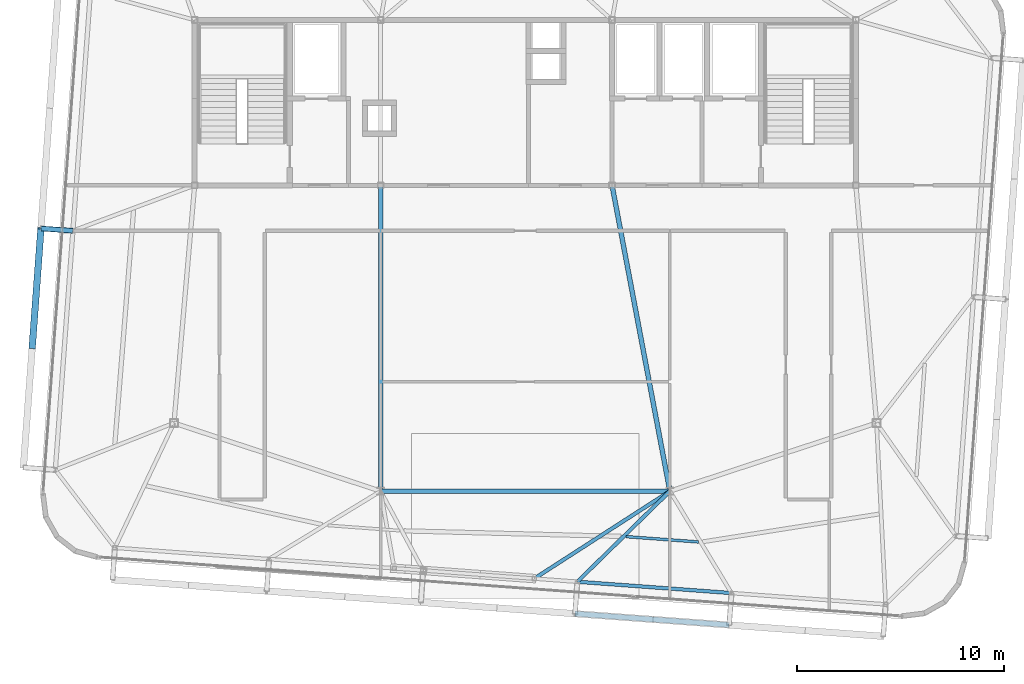
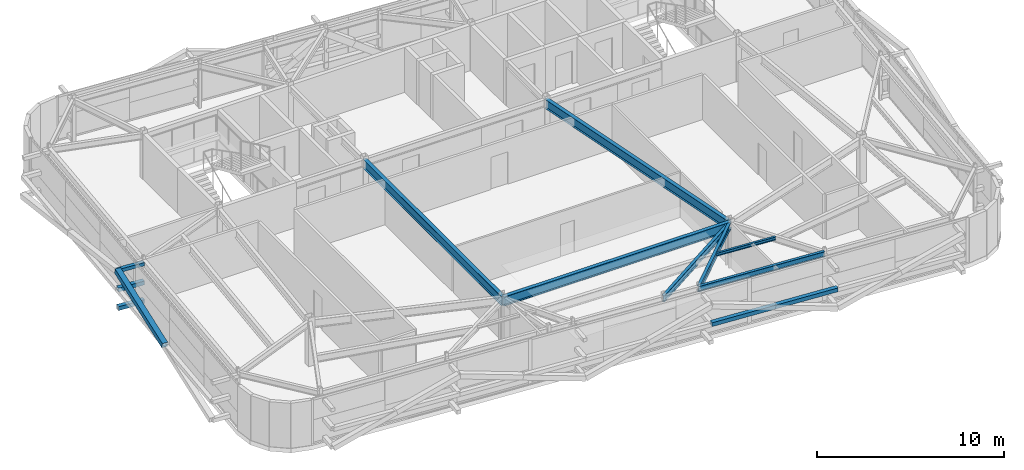
# One storey, part 12 of 35: 7 beams, 5 members.
"""IFC4 building model written with IfcOpenShell, lengths in metres."""

from ifc_helpers import new_model, si_unit, direction, frame, origin, origin_2d, place, context, subcontext, project, spatial, hollow_rectangle, i_section, extrude, source, transform, mapped, material, material_profile, profile_set, type_object, element, save


model = new_model("IFC4")

# Units and contexts
model_context = context("Model", 3, precision=1e-05, world=origin(), true_north=direction((0.0, 1.0)))
body_context = subcontext(model_context, "Body", "Model", "MODEL_VIEW")
ifc_project = project(units=[si_unit("LENGTHUNIT", "METRE"), si_unit("AREAUNIT", "SQUARE_METRE"), si_unit("VOLUMEUNIT", "CUBIC_METRE"), si_unit("PLANEANGLEUNIT", "RADIAN"), si_unit("MASSUNIT", "GRAM", prefix="KILO")], contexts=[model_context])

# Site, building, storey
site_placement = place(None, origin())
site = spatial("IfcSite", under=ifc_project, at=site_placement, CompositionType="ELEMENT")
building_placement = place(site_placement, origin())
building = spatial("IfcBuilding", under=site, at=building_placement, Name="Taldren Reach Tower", CompositionType="ELEMENT")
storey_placement = place(building_placement, frame((0.0, 0.0, 236.60009765625)))
storey = spatial("IfcBuildingStorey", under=building, at=storey_placement, Name="L72", CompositionType="ELEMENT", Elevation=236.60009765625)

# Beams
ifc_material_1 = material(Name="Steel Gr 350 (350PLUS)", Category="steel")
ifc_material_profile_1 = material_profile(ifc_material_1, i_section(OverallWidth=0.22802734375, OverallDepth=0.60205078125, WebThickness=0.010498046875, FlangeThickness=0.014892578125, at=origin_2d()), Name="610UB101")
ifc_profile_set_1 = profile_set([ifc_material_profile_1], Name="Steel Gr 350 (350PLUS)")
beam_type_1 = type_object("IfcBeamType", Name="BM-UB610B", PredefinedType="BEAM", material=ifc_profile_set_1)
shared_shape_1 = source(origin(), body_context, "Body", "SweptSolid", [
    extrude(i_section(OverallWidth=0.22802734375, OverallDepth=0.60205078125, WebThickness=0.010498046875, FlangeThickness=0.014892578125, at=origin_2d()), origin(), (0.0, 0.0, 1.0), 14.0),
])
beam_1_placement = place(storey_placement, frame((28.0, 9.199951171875, 2.62890625), z_axis=(1.0, 0.0, 0.0), x_axis=(0.0, 1.0, 0.0)))
element("IfcBeam", 1, at=beam_1_placement, inside=storey, type_object=beam_type_1, Name="Core-spine girder L72-SP11", PredefinedType="BEAM", context=body_context, shape_type="MappedRepresentation", body=[
    mapped(shared_shape_1, transform((0.0, 0.0, 0.0), scale=1.0)),
])
shared_shape_2 = source(origin(), body_context, "Body", "SweptSolid", [
    extrude(i_section(OverallWidth=0.22802734375, OverallDepth=0.60205078125, WebThickness=0.010498046875, FlangeThickness=0.014892578125, at=origin_2d()), origin(), (0.0, 0.0, 1.0), 14.800048828125),
])
beam_2_placement = place(storey_placement, frame((28.0, 24.0, 2.62890625), z_axis=(0.0, -1.0, 0.0), x_axis=(1.0, 0.0, 0.0)))
element("IfcBeam", 2, at=beam_2_placement, inside=storey, type_object=beam_type_1, Name="Core-spine girder L72-SP14", PredefinedType="BEAM", context=body_context, shape_type="MappedRepresentation", body=[
    mapped(shared_shape_2, transform((0.0, 0.0, 0.0), scale=1.0)),
])
shared_shape_3 = source(origin(), body_context, "Body", "SweptSolid", [
    extrude(i_section(OverallWidth=0.22802734375, OverallDepth=0.60205078125, WebThickness=0.010498046875, FlangeThickness=0.014892578125, at=origin_2d()), origin(), (0.0, 0.0, 1.0), 15.0625),
])
beam_3_placement = place(storey_placement, frame((39.199951171875, 24.0, 2.62890625), z_axis=(0.185894205668, -0.982569765614, 0.0), x_axis=(0.982569765614, 0.185894205668, 0.0)))
element("IfcBeam", 3, at=beam_3_placement, inside=storey, type_object=beam_type_1, Name="Core-spine girder L72-SP15", PredefinedType="BEAM", context=body_context, shape_type="MappedRepresentation", body=[
    mapped(shared_shape_3, transform((0.0, 0.0, 0.0), scale=1.0)),
])
ifc_material_profile_2 = material_profile(ifc_material_1, i_section(OverallWidth=0.172119140625, OverallDepth=0.35888671875, WebThickness=0.008056640625, FlangeThickness=0.012939453125, at=origin_2d()), Name="360UB56.7")
ifc_profile_set_2 = profile_set([ifc_material_profile_2], Name="Steel Gr 350 (350PLUS)")
beam_type_2 = type_object("IfcBeamType", Name="SP-UB360", PredefinedType="SPANDREL", material=ifc_profile_set_2)
shared_shape_4 = source(origin(), body_context, "Body", "SweptSolid", [
    extrude(i_section(OverallWidth=0.172119140625, OverallDepth=0.35888671875, WebThickness=0.008056640625, FlangeThickness=0.012939453125, at=origin_2d()), origin(), (0.0, 0.0, 1.0), 7.479736328125),
])
beam_4_placement = place(storey_placement, frame((37.5205078125, 4.81689453125, 2.75048828125), z_axis=(0.997314045547, -0.073244075215, 0.0), x_axis=(0.073244075215, 0.997314045547, 0.0)))
element("IfcBeam", 4, at=beam_4_placement, inside=storey, type_object=beam_type_2, Name="Perimeter spandrel B5 S4-S5 L72", PredefinedType="SPANDREL", context=body_context, shape_type="MappedRepresentation", body=[
    mapped(shared_shape_4, transform((0.0, 0.0, 0.0), scale=1.0)),
])
ifc_material_profile_3 = material_profile(ifc_material_1, i_section(OverallWidth=0.177978515625, OverallDepth=0.406005859375, WebThickness=0.0078125, FlangeThickness=0.0126953125, at=origin_2d()), Name="410UB59.7")
ifc_profile_set_3 = profile_set([ifc_material_profile_3], Name="Steel Gr 350 (350PLUS)")
beam_type_3 = type_object("IfcBeamType", Name="BM-UB410", PredefinedType="BEAM", material=ifc_profile_set_3)
shared_shape_5 = source(origin(), body_context, "Body", "SweptSolid", [
    extrude(i_section(OverallWidth=0.177978515625, OverallDepth=0.406005859375, WebThickness=0.0078125, FlangeThickness=0.0126953125, at=origin_2d()), origin(), (0.0, 0.0, 1.0), 7.80908203125),
])
beam_5_placement = place(storey_placement, frame((42.0, 9.199951171875, 2.726806640625), z_axis=(-0.840564391699, -0.541711642304, 0.0), x_axis=(0.541711642304, -0.840564391699, 0.0)))
element("IfcBeam", 5, at=beam_5_placement, inside=storey, type_object=beam_type_3, Name="Primary floor girder B5-PJ2 L72", PredefinedType="BEAM", context=body_context, shape_type="MappedRepresentation", body=[
    mapped(shared_shape_5, transform((0.0, 0.0, 0.0), scale=1.0)),
])
shared_shape_6 = source(origin(), body_context, "Body", "SweptSolid", [
    extrude(i_section(OverallWidth=0.177978515625, OverallDepth=0.406005859375, WebThickness=0.0078125, FlangeThickness=0.0126953125, at=origin_2d()), origin(), (0.0, 0.0, 1.0), 6.26708984375),
])
beam_6_placement = place(storey_placement, frame((42.0, 9.199951171875, 2.726806640625), z_axis=(-0.71475866888, -0.699371178461, 0.0), x_axis=(0.699371178461, -0.71475866888, 0.0)))
element("IfcBeam", 6, at=beam_6_placement, inside=storey, type_object=beam_type_3, Name="Primary floor girder B5-S4 L72", PredefinedType="BEAM", context=body_context, shape_type="MappedRepresentation", body=[
    mapped(shared_shape_6, transform((0.0, 0.0, 0.0), scale=1.0)),
])
ifc_material_2 = material(Name="Steel Gr 300 (300PLUS, 300 MPa)", Category="steel")
ifc_material_profile_4 = material_profile(ifc_material_2, i_section(OverallWidth=0.134033203125, OverallDepth=0.20703125, WebThickness=0.00634765625, FlangeThickness=0.009521484375, at=origin_2d()), Name="200UB29.8")
ifc_profile_set_4 = profile_set([ifc_material_profile_4], Name="Steel Gr 300 (300PLUS, 300 MPa)")
beam_type_4 = type_object("IfcBeamType", Name="JS-UB200", PredefinedType="JOIST", material=ifc_profile_set_4)
shared_shape_7 = source(origin(), body_context, "Body", "SweptSolid", [
    extrude(i_section(OverallWidth=0.134033203125, OverallDepth=0.20703125, WebThickness=0.00634765625, FlangeThickness=0.009521484375, at=origin_2d()), origin(), (0.0, 0.0, 1.0), 3.51220703125),
])
beam_7_placement = place(storey_placement, frame((39.878662109375, 6.999755859375, 2.826416015625), z_axis=(0.997312333235, -0.073267386856, 0.0), x_axis=(0.073267386856, 0.997312333235, 0.0)))
element("IfcBeam", 7, at=beam_7_placement, inside=storey, type_object=beam_type_4, Name="Secondary floor joist B5 J4 L72", PredefinedType="JOIST", context=body_context, shape_type="MappedRepresentation", body=[
    mapped(shared_shape_7, transform((0.0, 0.0, 0.0), scale=1.0)),
])

# Members
ifc_material_3 = material(Name="Steel Gr 450 (C450L0)", Category="steel")
ifc_material_profile_5 = material_profile(ifc_material_3, hollow_rectangle(XDim=0.219970703125, YDim=0.219970703125, WallThickness=0.00830078125, at=origin_2d()), Name="220x220x8.2SHS")
ifc_profile_set_5 = profile_set([ifc_material_profile_5], Name="Steel Gr 450 (C450L0)")
member_type_1 = type_object("IfcMemberType", Name="MB-TIE219", PredefinedType="STRUT", material=ifc_profile_set_5)
shared_shape_8 = source(origin(), body_context, "Body", "SweptSolid", [
    extrude(hollow_rectangle(XDim=0.219970703125, YDim=0.219970703125, WallThickness=0.00830078125, at=origin_2d()), origin(), (0.0, 0.0, 1.0), 1.546142578125),
])
member_1_placement = place(storey_placement, frame((13.104736328125, 21.800537109375, 2.64990234375), z_axis=(-0.997312378271, 0.073266773831, 0.0), x_axis=(-0.073266773831, -0.997312378271, 0.0)))
element("IfcMember", 8, at=member_1_placement, inside=storey, type_object=member_type_1, Name="Exoskeleton diaphragm tie strut B5-W2 L72", PredefinedType="STRUT", context=body_context, shape_type="MappedRepresentation", body=[
    mapped(shared_shape_8, transform((0.0, 0.0, 0.0), scale=1.0)),
])
ifc_material_4 = material(Name="Steel Gr 350 (C350L0)", Category="steel")
ifc_material_profile_6 = material_profile(ifc_material_4, hollow_rectangle(XDim=0.25, YDim=0.25, WallThickness=0.010009765625, at=origin_2d()), Name="250x250x10.0SHS")
ifc_profile_set_6 = profile_set([ifc_material_profile_6], Name="Steel Gr 350 (C350L0)")
member_type_2 = type_object("IfcMemberType", Name="MB-POST250", PredefinedType="POST", material=ifc_profile_set_6)
shared_shape_9 = source(origin(), body_context, "Body", "SweptSolid", [
    extrude(hollow_rectangle(XDim=0.25, YDim=0.25, WallThickness=0.010009765625, at=origin_2d()), origin(), (0.0, 0.0, 1.0), 7.479736328125),
])
member_2_placement = place(storey_placement, frame((37.406982421875, 3.27099609375, 1.434814453125), z_axis=(0.997314045547, -0.073244075215, 0.0), x_axis=(0.073244075215, 0.997314045547, 0.0)))
element("IfcMember", 9, at=member_2_placement, inside=storey, type_object=member_type_2, Name="Exoskeleton mid-height ring chord B5-S4 L72", PredefinedType="POST", context=body_context, shape_type="MappedRepresentation", body=[
    mapped(shared_shape_9, transform((0.0, 0.0, 0.0), scale=1.0)),
])
ifc_material_profile_7 = material_profile(ifc_material_3, hollow_rectangle(XDim=0.324951171875, YDim=0.324951171875, WallThickness=0.0126953125, at=origin_2d()), Name="325x325x12.7SHS")
ifc_profile_set_7 = profile_set([ifc_material_profile_7], Name="Steel Gr 450 (C450L0)")
member_type_3 = type_object("IfcMemberType", Name="MB-BR324", PredefinedType="BRACE", material=ifc_profile_set_7)
shared_shape_10 = source(origin(), body_context, "Body", "SweptSolid", [
    extrude(hollow_rectangle(XDim=0.324951171875, YDim=0.324951171875, WallThickness=0.0126953125, at=origin_2d()), origin(), (0.0, 0.0, 1.0), 5.926025390625),
])
member_3_placement = place(storey_placement, frame((11.137939453125, 16.12939453125, 1.434814453125), z_axis=(0.071685935393, 0.976123486939, 0.205046494513), x_axis=(-0.997314185625, 0.073242167855, 0.0)))
element("IfcMember", 10, at=member_3_placement, inside=storey, type_object=member_type_3, Name="Exoskeleton Diagrid Brace B5-W1 L72", PredefinedType="BRACE", context=body_context, shape_type="MappedRepresentation", body=[
    mapped(shared_shape_10, transform((0.0, 0.0, 0.0), scale=1.0)),
])
shared_shape_11 = source(origin(), body_context, "Body", "SweptSolid", [
    extrude(hollow_rectangle(XDim=0.25, YDim=0.25, WallThickness=0.010009765625, at=origin_2d()), origin(), (0.0, 0.0, 1.0), 1.546142578125),
])
for number, where, z_axis, x_axis, name in (
    (11, (13.104736328125, 21.800537109375, 0.219970703125), (-0.997312378271, 0.073266773831, 0.0), (-0.073266773831, -0.997312378271, 0.0), "Exoskeleton base diaphragm tie strut B5-W2 L72"),
    (12, (13.104736328125, 21.800537109375, 1.434814453125), (-0.997312378271, 0.073266773831, 0.0), (-0.073266773831, -0.997312378271, 0.0), "Exoskeleton mid-tier diaphragm tie B5-W2 L72"),
):
    element("IfcMember", number, at=place(storey_placement, frame(where, z_axis=z_axis, x_axis=x_axis)), inside=storey, type_object=member_type_2, Name=name, PredefinedType="POST", context=body_context, shape_type="MappedRepresentation", body=[
        mapped(shared_shape_11, transform((0.0, 0.0, 0.0), scale=1.0)),
    ])

save(model, "model.ifc")
